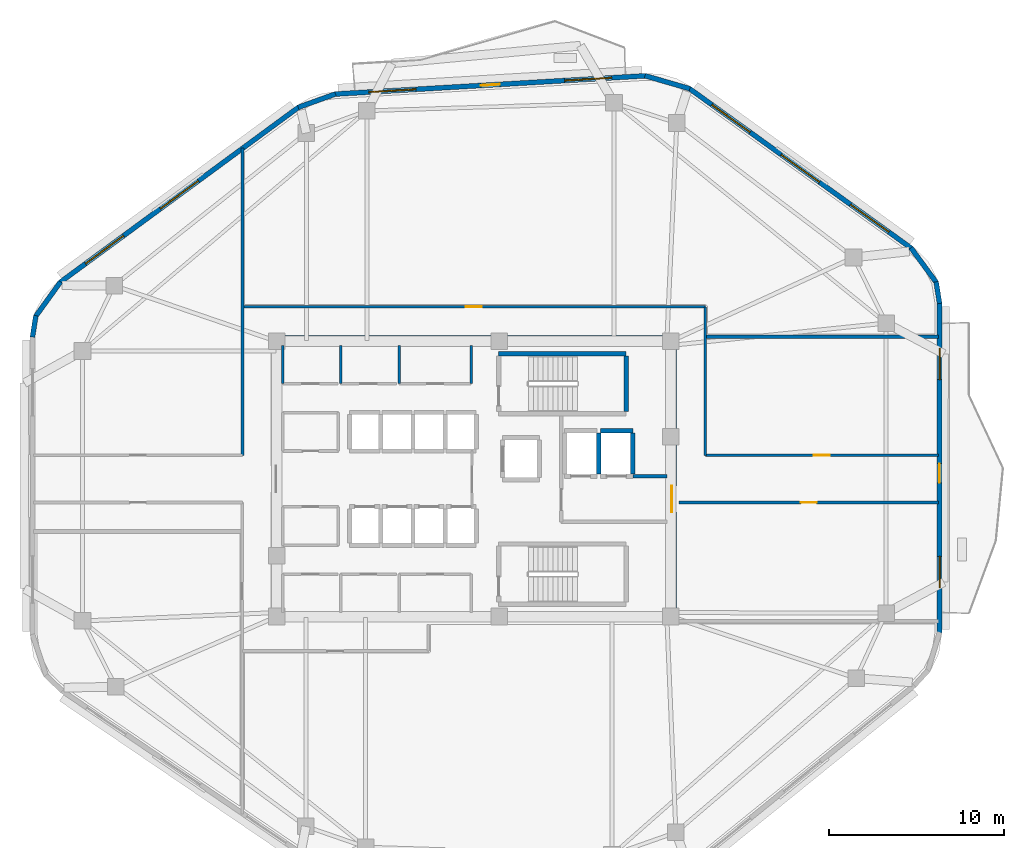
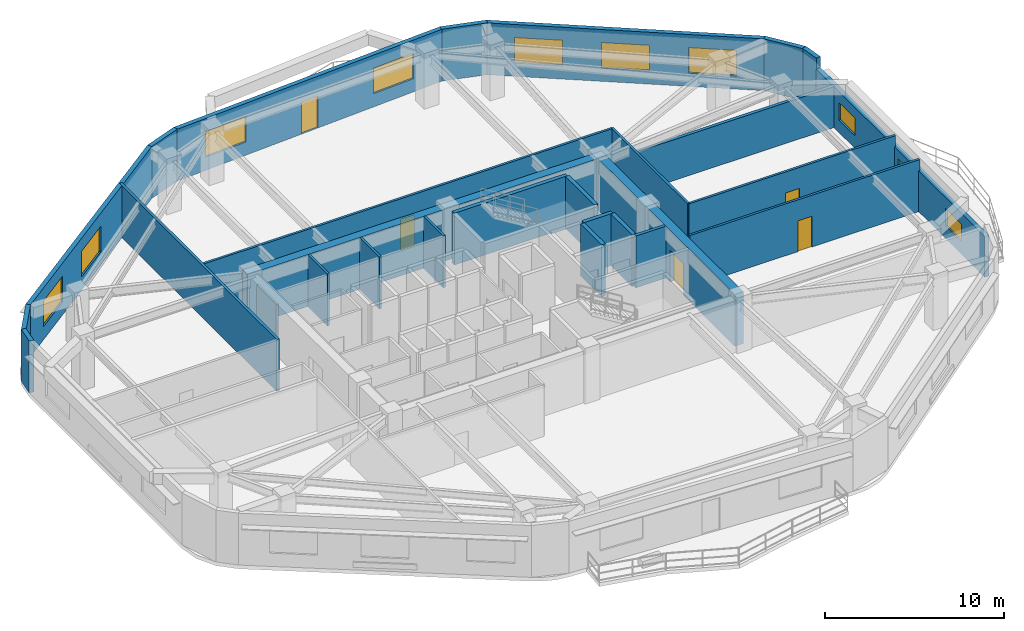
# One storey, part 5 of 8: 28 walls, 9 windows, 6 doors, 15 openings.
"""IFC4 building model written with IfcOpenShell, lengths in metres."""

from ifc_helpers import new_model, si_unit, direction, frame, frame_2d, origin, place, context, subcontext, project, spatial, rectangle, extrude, material, layer, layer_set, type_object, element, fill, save


model = new_model("IFC4")

# Units and contexts
model_context = context("Model", 3, precision=1e-05, world=origin(), true_north=direction((0.0, 1.0)))
body_context = subcontext(model_context, "Body", "Model", "MODEL_VIEW")
ifc_project = project(units=[si_unit("LENGTHUNIT", "METRE"), si_unit("AREAUNIT", "SQUARE_METRE"), si_unit("VOLUMEUNIT", "CUBIC_METRE"), si_unit("PLANEANGLEUNIT", "RADIAN"), si_unit("MASSUNIT", "GRAM", prefix="KILO")], contexts=[model_context])

# Site, building, storey
site_placement = place(None, origin())
site = spatial("IfcSite", under=ifc_project, at=site_placement, CompositionType="ELEMENT")
building_placement = place(site_placement, origin())
building = spatial("IfcBuilding", under=site, at=building_placement, Name="Zulverin Broadcast Headquarters", CompositionType="ELEMENT")
storey_placement = place(building_placement, frame((0.0, 0.0, 204.800048828125)))
storey = spatial("IfcBuildingStorey", under=building, at=storey_placement, Name="L52", CompositionType="ELEMENT", Elevation=204.800048828125)

# Walls
ifc_material_1 = material(Name="Acoustic drywall steel stud", Category="steel")
ifc_layer_1 = layer(ifc_material_1, 0.199951171875, Name="Acoustic drywall steel stud", Category="steel")
ifc_layer_set_1 = layer_set([ifc_layer_1], Name="Acoustic drywall steel stud")
wall_type_1 = type_object("IfcWallType", Name="WL-ACOU-200", PredefinedType="PARTITIONING", material=ifc_layer_set_1)
wall_1_placement = place(storey_placement, frame((50.25, 33.35009765625, 0.0), z_axis=(0.0, 0.0, 1.0), x_axis=(1.0, 0.0, 0.0)))
element("IfcWall", 1, at=wall_1_placement, inside=storey, type_object=wall_type_1, Name="L52 Room Partition Wall RP-12", PredefinedType="PARTITIONING", context=body_context, shape_type="SweptSolid", body=[
    extrude(rectangle(XDim=13.344970703125, YDim=0.199951171875, at=frame_2d((6.67236328125, 0.0))), origin(), (0.0, 0.0, 1.0), 2.7900390625),
])
ifc_material_2 = material(Name="Concrete C60/75", Category="concrete")
ifc_layer_2 = layer(ifc_material_2, 0.550048828125, Name="Concrete C60/75", Category="concrete")
ifc_layer_set_2 = layer_set([ifc_layer_2], Name="Concrete C60/75")
wall_type_2 = type_object("IfcWallType", Name="WL-CORE-550", PredefinedType="SHEAR", material=ifc_layer_set_2)
wall_2_placement = place(storey_placement, frame((25.39990234375, 33.125, 0.0), z_axis=(0.0, 0.0, 1.0), x_axis=(1.0, 0.0, 0.0)))
element("IfcWall", 2, at=wall_2_placement, inside=storey, type_object=wall_type_2, Name="L52 Core North Shear Wall", PredefinedType="SHEAR", context=body_context, shape_type="SweptSolid", body=[
    extrude(rectangle(XDim=23.2001953125, YDim=0.550048828125, at=frame_2d((11.60009765625, 0.0))), origin(), (0.0, 0.0, 1.0), 3.5400390625),
])

# Wall, opening, door
wall_3_placement = place(storey_placement, frame((48.324951171875, 17.550048828125, 0.0), z_axis=(0.0, 0.0, 1.0), x_axis=(0.0, 1.0, 0.0)))
wall_3 = element("IfcWall", 3, at=wall_3_placement, inside=storey, type_object=wall_type_2, Name="L52 Core East Shear Wall", PredefinedType="SHEAR", context=body_context, shape_type="SweptSolid", body=[
    extrude(rectangle(XDim=15.300048828125, YDim=0.550048828125, at=frame_2d((7.64990234375, 0.0))), origin(), (0.0, 0.0, 1.0), 3.5400390625),
])
opening_1_placement = place(wall_3_placement, frame((5.75, 0.0, 0.0)))
opening_1 = element("IfcOpeningElement", 4, at=opening_1_placement, cuts=wall_3, Name="Opening D-L52-CE1", PredefinedType="OPENING", context=body_context, shape_type="SweptSolid", body=[
    extrude(rectangle(XDim=1.5, YDim=2.14990234375, at=frame_2d((0.75, 1.074951171875))), frame((0.0, 0.284912109375, 0.0), z_axis=(0.0, -1.0, 0.0), x_axis=(1.0, 0.0, 0.0)), (0.0, 0.0, 1.0), 0.570068359375),
])
ifc_material_3 = material(Name="Fire-rated glazed steel frame", Category="steel")
door_type_1 = type_object("IfcDoorType", Name="DR-COR-1500", OperationType="DOUBLE_DOOR_SINGLE_SWING", PredefinedType="DOOR", material=ifc_material_3)
door_1_placement = place(opening_1_placement, origin())
door_1 = element("IfcDoor", 5, at=door_1_placement, inside=storey, type_object=door_type_1, Name="L52 Firefighting Lobby East Corridor Door", OperationType="DOUBLE_DOOR_SINGLE_SWING", OverallHeight=2.14990234375, OverallWidth=1.5, PredefinedType="DOOR", context=body_context, shape_type="SweptSolid", body=[
    extrude(rectangle(XDim=1.5, YDim=2.14990234375, at=frame_2d((0.75, 1.074951171875))), frame((0.0, 0.02490234375, 0.0), z_axis=(0.0, -1.0, 0.0), x_axis=(1.0, 0.0, 0.0)), (0.0, 0.0, 1.0), 0.050048828125),
])
fill(opening_1, door_1)

# Wall, openings, door, windows
ifc_material_4 = material(Name="Insulated pale-metal clad concrete spandrel C40/50", Category="concrete")
ifc_layer_3 = layer(ifc_material_4, 0.280029296875, Name="Insulated pale-metal clad concrete spandrel C40/50", Category="concrete")
ifc_layer_set_3 = layer_set([ifc_layer_3], Name="Insulated pale-metal clad concrete spandrel C40/50")
wall_type_3 = type_object("IfcWallType", Name="WL-EXT-280", PredefinedType="STANDARD", material=ifc_layer_set_3)
wall_4_placement = place(storey_placement, frame((63.659912109375, 16.390380859375, 0.0), z_axis=(0.0, 0.0, 1.0), x_axis=(0.0, 1.0, 0.0)))
wall_4 = element("IfcWall", 6, at=wall_4_placement, inside=storey, type_object=wall_type_3, Name="L52 Pale-Metal Clad Spandrel Wall 3", PredefinedType="STANDARD", context=body_context, shape_type="SweptSolid", body=[
    extrude(rectangle(XDim=18.875732421875, YDim=0.280029296875, at=frame_2d((9.43798828125, 0.0))), origin(), (0.0, 0.0, 1.0), 2.7900390625),
])
opening_2_placement = place(wall_4_placement, frame((8.587890625, 0.0, 0.0)))
opening_2 = element("IfcOpeningElement", 7, at=opening_2_placement, cuts=wall_4, Name="Opening D-L52-TR3", PredefinedType="OPENING", context=body_context, shape_type="SweptSolid", body=[
    extrude(rectangle(XDim=1.10009765625, YDim=2.199951171875, at=frame_2d((0.550048828125, 1.10009765625))), frame((0.0, 0.14990234375, 0.0), z_axis=(0.0, -1.0, 0.0), x_axis=(1.0, 0.0, 0.0)), (0.0, 0.0, 1.0), 0.300048828125),
])
opening_3_placement = place(wall_4_placement, frame((2.579345703125, 0.0, 0.85009765625)))
opening_3 = element("IfcOpeningElement", 8, at=opening_3_placement, cuts=wall_4, Name="Opening W-L52-E31", PredefinedType="OPENING", context=body_context, shape_type="SweptSolid", body=[
    extrude(rectangle(XDim=1.800048828125, YDim=1.199951171875, at=frame_2d((0.89990234375, 0.60009765625))), frame((0.0, 0.14990234375, 0.0), z_axis=(0.0, -1.0, 0.0), x_axis=(1.0, 0.0, 0.0)), (0.0, 0.0, 1.0), 0.300048828125),
])
opening_4_placement = place(wall_4_placement, frame((14.49658203125, 0.0, 0.85009765625)))
opening_4 = element("IfcOpeningElement", 9, at=opening_4_placement, cuts=wall_4, Name="Opening W-L52-E32", PredefinedType="OPENING", context=body_context, shape_type="SweptSolid", body=[
    extrude(rectangle(XDim=1.800048828125, YDim=1.199951171875, at=frame_2d((0.89990234375, 0.60009765625))), frame((0.0, 0.14990234375, 0.0), z_axis=(0.0, -1.0, 0.0), x_axis=(1.0, 0.0, 0.0)), (0.0, 0.0, 1.0), 0.300048828125),
])
ifc_material_5 = material(Name="Thermally broken aluminium glazed", Category="aluminium")
door_type_2 = type_object("IfcDoorType", Name="DR-TERR-1100", OperationType="SINGLE_SWING_RIGHT", PredefinedType="DOOR", material=ifc_material_5)
door_2_placement = place(opening_2_placement, origin())
door_2 = element("IfcDoor", 10, at=door_2_placement, inside=storey, type_object=door_type_2, Name="L52 Planted Terrace Glazed Access Door 3", OperationType="SINGLE_SWING_RIGHT", OverallHeight=2.199951171875, OverallWidth=1.10009765625, PredefinedType="DOOR", context=body_context, shape_type="SweptSolid", body=[
    extrude(rectangle(XDim=1.10009765625, YDim=2.199951171875, at=frame_2d((0.550048828125, 1.10009765625))), frame((0.0, 0.02490234375, 0.0), z_axis=(0.0, -1.0, 0.0), x_axis=(1.0, 0.0, 0.0)), (0.0, 0.0, 1.0), 0.050048828125),
])
fill(opening_2, door_2)
ifc_material_6 = material(Name="Pale anodized aluminium frame with solar-control low-E double glazing", Category="aluminium")
window_type_1 = type_object("IfcWindowType", Name="WIN-LOW-1800", PartitioningType="SINGLE_PANEL", PredefinedType="WINDOW", material=ifc_material_6)
window_1_placement = place(opening_3_placement, origin())
window_1 = element("IfcWindow", 11, at=window_1_placement, inside=storey, type_object=window_type_1, Name="L52 Ribbon Glazing Window 3 1", OverallHeight=1.199951171875, OverallWidth=1.800048828125, PartitioningType="SINGLE_PANEL", PredefinedType="WINDOW", context=body_context, shape_type="SweptSolid", body=[
    extrude(rectangle(XDim=1.800048828125, YDim=1.199951171875, at=frame_2d((0.89990234375, 0.60009765625))), frame((0.0, 0.030029296875, 0.0), z_axis=(0.0, -1.0, 0.0), x_axis=(1.0, 0.0, 0.0)), (0.0, 0.0, 1.0), 0.06005859375),
])
fill(opening_3, window_1)
window_2_placement = place(opening_4_placement, origin())
window_2 = element("IfcWindow", 12, at=window_2_placement, inside=storey, type_object=window_type_1, Name="L52 Ribbon Glazing Window 3 2", OverallHeight=1.199951171875, OverallWidth=1.800048828125, PartitioningType="SINGLE_PANEL", PredefinedType="WINDOW", context=body_context, shape_type="SweptSolid", body=[
    extrude(rectangle(XDim=1.800048828125, YDim=1.199951171875, at=frame_2d((0.89990234375, 0.60009765625))), frame((0.0, 0.030029296875, 0.0), z_axis=(0.0, -1.0, 0.0), x_axis=(1.0, 0.0, 0.0)), (0.0, 0.0, 1.0), 0.06005859375),
])
fill(opening_4, window_2)

# Wall, openings, windows
wall_5_placement = place(storey_placement, frame((62.054443359375, 38.3994140625, 0.0), z_axis=(0.0, 0.0, 1.0), x_axis=(-0.81172124793, 0.584045045915, 0.0)))
wall_5 = element("IfcWall", 13, at=wall_5_placement, inside=storey, type_object=wall_type_3, Name="L52 Pale-Metal Clad Spandrel Wall 4", PredefinedType="STANDARD", context=body_context, shape_type="SweptSolid", body=[
    extrude(rectangle(XDim=15.679443359375, YDim=0.280029296875, at=frame_2d((7.83984375, 0.0))), origin(), (0.0, 0.0, 1.0), 3.5400390625),
])
opening_5_placement = place(wall_5_placement, frame((1.596435546875, 0.0, 0.89990234375)))
opening_5 = element("IfcOpeningElement", 14, at=opening_5_placement, cuts=wall_5, Name="Opening W-L52-E41", PredefinedType="OPENING", context=body_context, shape_type="SweptSolid", body=[
    extrude(rectangle(XDim=2.699951171875, YDim=1.75, at=frame_2d((1.35009765625, 0.875))), frame((0.0, 0.14990234375, 0.0), z_axis=(0.0, -1.0, 0.0), x_axis=(1.0, 0.0, 0.0)), (0.0, 0.0, 1.0), 0.300048828125),
])
opening_6_placement = place(wall_5_placement, frame((6.489501953125, 0.0, 0.89990234375)))
opening_6 = element("IfcOpeningElement", 15, at=opening_6_placement, cuts=wall_5, Name="Opening W-L52-E42", PredefinedType="OPENING", context=body_context, shape_type="SweptSolid", body=[
    extrude(rectangle(XDim=2.699951171875, YDim=1.75, at=frame_2d((1.35009765625, 0.875))), frame((0.0, 0.14990234375, 0.0), z_axis=(0.0, -1.0, 0.0), x_axis=(1.0, 0.0, 0.0)), (0.0, 0.0, 1.0), 0.300048828125),
])
opening_7_placement = place(wall_5_placement, frame((11.3828125, 0.0, 0.89990234375)))
opening_7 = element("IfcOpeningElement", 16, at=opening_7_placement, cuts=wall_5, Name="Opening W-L52-E43", PredefinedType="OPENING", context=body_context, shape_type="SweptSolid", body=[
    extrude(rectangle(XDim=2.699951171875, YDim=1.75, at=frame_2d((1.35009765625, 0.875))), frame((0.0, 0.14990234375, 0.0), z_axis=(0.0, -1.0, 0.0), x_axis=(1.0, 0.0, 0.0)), (0.0, 0.0, 1.0), 0.300048828125),
])
window_type_2 = type_object("IfcWindowType", Name="WIN-TWR-2700", PartitioningType="SINGLE_PANEL", PredefinedType="WINDOW", material=ifc_material_6)
window_3_placement = place(opening_5_placement, origin())
window_3 = element("IfcWindow", 17, at=window_3_placement, inside=storey, type_object=window_type_2, Name="L52 Ribbon Glazing Window 4 1", OverallHeight=1.75, OverallWidth=2.699951171875, PartitioningType="SINGLE_PANEL", PredefinedType="WINDOW", context=body_context, shape_type="SweptSolid", body=[
    extrude(rectangle(XDim=2.699951171875, YDim=1.75, at=frame_2d((1.35009765625, 0.875))), frame((0.0, 0.030029296875, 0.0), z_axis=(0.0, -1.0, 0.0), x_axis=(1.0, 0.0, 0.0)), (0.0, 0.0, 1.0), 0.06005859375),
])
fill(opening_5, window_3)
window_4_placement = place(opening_6_placement, origin())
window_4 = element("IfcWindow", 18, at=window_4_placement, inside=storey, type_object=window_type_2, Name="L52 Ribbon Glazing Window 4 2", OverallHeight=1.75, OverallWidth=2.699951171875, PartitioningType="SINGLE_PANEL", PredefinedType="WINDOW", context=body_context, shape_type="SweptSolid", body=[
    extrude(rectangle(XDim=2.699951171875, YDim=1.75, at=frame_2d((1.35009765625, 0.875))), frame((0.0, 0.030029296875, 0.0), z_axis=(0.0, -1.0, 0.0), x_axis=(1.0, 0.0, 0.0)), (0.0, 0.0, 1.0), 0.06005859375),
])
fill(opening_6, window_4)
window_5_placement = place(opening_7_placement, origin())
window_5 = element("IfcWindow", 19, at=window_5_placement, inside=storey, type_object=window_type_2, Name="L52 Ribbon Glazing Window 4 3", OverallHeight=1.75, OverallWidth=2.699951171875, PartitioningType="SINGLE_PANEL", PredefinedType="WINDOW", context=body_context, shape_type="SweptSolid", body=[
    extrude(rectangle(XDim=2.699951171875, YDim=1.75, at=frame_2d((1.35009765625, 0.875))), frame((0.0, 0.030029296875, 0.0), z_axis=(0.0, -1.0, 0.0), x_axis=(1.0, 0.0, 0.0)), (0.0, 0.0, 1.0), 0.06005859375),
])
fill(opening_7, window_5)

# Wall, openings, door, windows
wall_6_placement = place(storey_placement, frame((46.84619140625, 48.27685546875, 0.0), z_axis=(0.0, 0.0, 1.0), x_axis=(-0.998273806631, -0.05873165241, 0.0)))
wall_6 = element("IfcWall", 20, at=wall_6_placement, inside=storey, type_object=wall_type_3, Name="L52 Pale-Metal Clad Spandrel Wall 5", PredefinedType="STANDARD", context=body_context, shape_type="SweptSolid", body=[
    extrude(rectangle(XDim=17.8330078125, YDim=0.280029296875, at=frame_2d((8.91650390625, 0.0))), origin(), (0.0, 0.0, 1.0), 3.5400390625),
])
opening_8_placement = place(wall_6_placement, frame((8.366455078125, 0.0, 0.0)))
opening_8 = element("IfcOpeningElement", 21, at=opening_8_placement, cuts=wall_6, Name="Opening D-L52-TR5", PredefinedType="OPENING", context=body_context, shape_type="SweptSolid", body=[
    extrude(rectangle(XDim=1.10009765625, YDim=2.199951171875, at=frame_2d((0.550048828125, 1.10009765625))), frame((0.0, 0.14990234375, 0.0), z_axis=(0.0, -1.0, 0.0), x_axis=(1.0, 0.0, 0.0)), (0.0, 0.0, 1.0), 0.300048828125),
])
opening_9_placement = place(wall_6_placement, frame((1.95556640625, 0.0, 0.89990234375)))
opening_9 = element("IfcOpeningElement", 22, at=opening_9_placement, cuts=wall_6, Name="Opening W-L52-E51", PredefinedType="OPENING", context=body_context, shape_type="SweptSolid", body=[
    extrude(rectangle(XDim=2.699951171875, YDim=1.75, at=frame_2d((1.35009765625, 0.875))), frame((0.0, 0.14990234375, 0.0), z_axis=(0.0, -1.0, 0.0), x_axis=(1.0, 0.0, 0.0)), (0.0, 0.0, 1.0), 0.300048828125),
])
opening_10_placement = place(wall_6_placement, frame((13.177490234375, 0.0, 0.89990234375)))
opening_10 = element("IfcOpeningElement", 23, at=opening_10_placement, cuts=wall_6, Name="Opening W-L52-E52", PredefinedType="OPENING", context=body_context, shape_type="SweptSolid", body=[
    extrude(rectangle(XDim=2.699951171875, YDim=1.75, at=frame_2d((1.35009765625, 0.875))), frame((0.0, 0.14990234375, 0.0), z_axis=(0.0, -1.0, 0.0), x_axis=(1.0, 0.0, 0.0)), (0.0, 0.0, 1.0), 0.300048828125),
])
door_3_placement = place(opening_8_placement, origin())
door_3 = element("IfcDoor", 24, at=door_3_placement, inside=storey, type_object=door_type_2, Name="L52 Planted Terrace Glazed Access Door 5", OperationType="SINGLE_SWING_RIGHT", OverallHeight=2.199951171875, OverallWidth=1.10009765625, PredefinedType="DOOR", context=body_context, shape_type="SweptSolid", body=[
    extrude(rectangle(XDim=1.10009765625, YDim=2.199951171875, at=frame_2d((0.550048828125, 1.10009765625))), frame((0.0, 0.02490234375, 0.0), z_axis=(0.0, -1.0, 0.0), x_axis=(1.0, 0.0, 0.0)), (0.0, 0.0, 1.0), 0.050048828125),
])
fill(opening_8, door_3)
window_6_placement = place(opening_9_placement, origin())
window_6 = element("IfcWindow", 25, at=window_6_placement, inside=storey, type_object=window_type_2, Name="L52 Ribbon Glazing Window 5 1", OverallHeight=1.75, OverallWidth=2.699951171875, PartitioningType="SINGLE_PANEL", PredefinedType="WINDOW", context=body_context, shape_type="SweptSolid", body=[
    extrude(rectangle(XDim=2.699951171875, YDim=1.75, at=frame_2d((1.35009765625, 0.875))), frame((0.0, 0.030029296875, 0.0), z_axis=(0.0, -1.0, 0.0), x_axis=(1.0, 0.0, 0.0)), (0.0, 0.0, 1.0), 0.06005859375),
])
fill(opening_9, window_6)
window_7_placement = place(opening_10_placement, origin())
window_7 = element("IfcWindow", 26, at=window_7_placement, inside=storey, type_object=window_type_2, Name="L52 Ribbon Glazing Window 5 2", OverallHeight=1.75, OverallWidth=2.699951171875, PartitioningType="SINGLE_PANEL", PredefinedType="WINDOW", context=body_context, shape_type="SweptSolid", body=[
    extrude(rectangle(XDim=2.699951171875, YDim=1.75, at=frame_2d((1.35009765625, 0.875))), frame((0.0, 0.030029296875, 0.0), z_axis=(0.0, -1.0, 0.0), x_axis=(1.0, 0.0, 0.0)), (0.0, 0.0, 1.0), 0.06005859375),
])
fill(opening_10, window_7)

# Wall, openings, windows
wall_7_placement = place(storey_placement, frame((26.986083984375, 46.48779296875, 0.0), z_axis=(0.0, 0.0, 1.0), x_axis=(-0.806097783211, -0.59178236194, 0.0)))
wall_7 = element("IfcWall", 27, at=wall_7_placement, inside=storey, type_object=wall_type_3, Name="L52 Pale-Metal Clad Spandrel Wall 6", PredefinedType="STANDARD", context=body_context, shape_type="SweptSolid", body=[
    extrude(rectangle(XDim=16.958740234375, YDim=0.280029296875, at=frame_2d((8.4794921875, 0.0))), origin(), (0.0, 0.0, 1.0), 3.5400390625),
])
opening_11_placement = place(wall_7_placement, frame((7.12939453125, 0.0, 0.89990234375)))
opening_11 = element("IfcOpeningElement", 28, at=opening_11_placement, cuts=wall_7, Name="Opening W-L52-E61", PredefinedType="OPENING", context=body_context, shape_type="SweptSolid", body=[
    extrude(rectangle(XDim=2.699951171875, YDim=1.75, at=frame_2d((1.35009765625, 0.875))), frame((0.0, 0.14990234375, 0.0), z_axis=(0.0, -1.0, 0.0), x_axis=(1.0, 0.0, 0.0)), (0.0, 0.0, 1.0), 0.300048828125),
])
opening_12_placement = place(wall_7_placement, frame((12.44921875, 0.0, 0.89990234375)))
opening_12 = element("IfcOpeningElement", 29, at=opening_12_placement, cuts=wall_7, Name="Opening W-L52-E62", PredefinedType="OPENING", context=body_context, shape_type="SweptSolid", body=[
    extrude(rectangle(XDim=2.699951171875, YDim=1.75, at=frame_2d((1.35009765625, 0.875))), frame((0.0, 0.14990234375, 0.0), z_axis=(0.0, -1.0, 0.0), x_axis=(1.0, 0.0, 0.0)), (0.0, 0.0, 1.0), 0.300048828125),
])
window_8_placement = place(opening_11_placement, origin())
window_8 = element("IfcWindow", 30, at=window_8_placement, inside=storey, type_object=window_type_2, Name="L52 Ribbon Glazing Window 6 1", OverallHeight=1.75, OverallWidth=2.699951171875, PartitioningType="SINGLE_PANEL", PredefinedType="WINDOW", context=body_context, shape_type="SweptSolid", body=[
    extrude(rectangle(XDim=2.699951171875, YDim=1.75, at=frame_2d((1.35009765625, 0.875))), frame((0.0, 0.030029296875, 0.0), z_axis=(0.0, -1.0, 0.0), x_axis=(1.0, 0.0, 0.0)), (0.0, 0.0, 1.0), 0.06005859375),
])
fill(opening_11, window_8)
window_9_placement = place(opening_12_placement, origin())
window_9 = element("IfcWindow", 31, at=window_9_placement, inside=storey, type_object=window_type_2, Name="L52 Ribbon Glazing Window 6 2", OverallHeight=1.75, OverallWidth=2.699951171875, PartitioningType="SINGLE_PANEL", PredefinedType="WINDOW", context=body_context, shape_type="SweptSolid", body=[
    extrude(rectangle(XDim=2.699951171875, YDim=1.75, at=frame_2d((1.35009765625, 0.875))), frame((0.0, 0.030029296875, 0.0), z_axis=(0.0, -1.0, 0.0), x_axis=(1.0, 0.0, 0.0)), (0.0, 0.0, 1.0), 0.06005859375),
])
fill(opening_12, window_9)

# Walls
wall_8_placement = place(storey_placement, frame((63.66162109375, 35.244140625, 0.0), z_axis=(0.0, 0.0, 1.0), x_axis=(-0.157059104921, 0.987589204863, 0.0)))
element("IfcWall", 32, at=wall_8_placement, inside=storey, type_object=wall_type_3, Name="L52 Wind-Shaped Corner Spandrel Wall 3-1", PredefinedType="STANDARD", context=body_context, shape_type="SweptSolid", body=[
    extrude(rectangle(XDim=1.257568359375, YDim=0.280029296875, at=frame_2d((0.62890625, 0.0))), origin(), (0.0, 0.0, 1.0), 3.5400390625),
])
wall_9_placement = place(storey_placement, frame((63.4892578125, 36.425537109375, 0.0), z_axis=(0.0, 0.0, 1.0), x_axis=(-0.590267940876, 0.80720738226, 0.0)))
element("IfcWall", 33, at=wall_9_placement, inside=storey, type_object=wall_type_3, Name="L52 Wind-Shaped Corner Spandrel Wall 3-2", PredefinedType="STANDARD", context=body_context, shape_type="SweptSolid", body=[
    extrude(rectangle(XDim=2.483642578125, YDim=0.280029296875, at=frame_2d((1.24169921875, 0.0))), origin(), (0.0, 0.0, 1.0), 3.5400390625),
])
wall_10_placement = place(storey_placement, frame((49.3701171875, 47.535888671875, 0.0), z_axis=(0.0, 0.0, 1.0), x_axis=(-0.960380089791, 0.278693529048, 0.0)))
element("IfcWall", 34, at=wall_10_placement, inside=storey, type_object=wall_type_3, Name="L52 Wind-Shaped Corner Spandrel Wall 4-1", PredefinedType="STANDARD", context=body_context, shape_type="SweptSolid", body=[
    extrude(rectangle(XDim=2.677001953125, YDim=0.280029296875, at=frame_2d((1.33837890625, 0.0))), origin(), (0.0, 0.0, 1.0), 3.5400390625),
])
wall_11_placement = place(storey_placement, frame((29.083251953125, 47.23779296875, 0.0), z_axis=(0.0, 0.0, 1.0), x_axis=(-0.940723909279, -0.33917329864, 0.0)))
element("IfcWall", 35, at=wall_11_placement, inside=storey, type_object=wall_type_3, Name="L52 Wind-Shaped Corner Spandrel Wall 5-1", PredefinedType="STANDARD", context=body_context, shape_type="SweptSolid", body=[
    extrude(rectangle(XDim=2.2666015625, YDim=0.280029296875, at=frame_2d((1.13330078125, 0.0))), origin(), (0.0, 0.0, 1.0), 3.5400390625),
])
wall_12_placement = place(storey_placement, frame((13.346435546875, 36.48291015625, 0.0), z_axis=(0.0, 0.0, 1.0), x_axis=(-0.585128091556, -0.810940883463, 0.0)))
element("IfcWall", 36, at=wall_12_placement, inside=storey, type_object=wall_type_3, Name="L52 Wind-Shaped Corner Spandrel Wall 6-1", PredefinedType="STANDARD", context=body_context, shape_type="SweptSolid", body=[
    extrude(rectangle(XDim=2.459716796875, YDim=0.280029296875, at=frame_2d((1.22998046875, 0.0))), origin(), (0.0, 0.0, 1.0), 3.5400390625),
])
wall_13_placement = place(storey_placement, frame((11.931884765625, 34.54833984375, 0.0), z_axis=(0.0, 0.0, 1.0), x_axis=(-0.155519443181, -0.987832831401, 0.0)))
element("IfcWall", 37, at=wall_13_placement, inside=storey, type_object=wall_type_3, Name="L52 Wind-Shaped Corner Spandrel Wall 6-2", PredefinedType="STANDARD", context=body_context, shape_type="SweptSolid", body=[
    extrude(rectangle(XDim=1.244873046875, YDim=0.280029296875, at=frame_2d((0.62255859375, 0.0))), origin(), (0.0, 0.0, 1.0), 3.5400390625),
])
ifc_material_7 = material(Name="Concrete C40/50", Category="concrete")
ifc_layer_4 = layer(ifc_material_7, 0.199951171875, Name="Concrete C40/50", Category="concrete")
ifc_layer_set_4 = layer_set([ifc_layer_4], Name="Concrete C40/50")
wall_type_4 = type_object("IfcWallType", Name="WL-FFL-200", PredefinedType="SOLIDWALL", material=ifc_layer_set_4)
wall_14_placement = place(storey_placement, frame((46.10009765625, 25.35009765625, 0.0), z_axis=(0.0, 0.0, 1.0), x_axis=(1.0, 0.0, 0.0)))
element("IfcWall", 38, at=wall_14_placement, inside=storey, type_object=wall_type_4, Name="L52 Firefighting Lift Lobby North Wall", PredefinedType="SOLIDWALL", context=body_context, shape_type="SweptSolid", body=[
    extrude(rectangle(XDim=1.949951171875, YDim=0.199951171875, at=frame_2d((0.97509765625, 0.0))), origin(), (0.0, 0.0, 1.0), 3.5400390625),
])
ifc_material_8 = material(Name="Fire-rated gypsum stud partition", Category="gypsum")
ifc_layer_5 = layer(ifc_material_8, 0.14990234375, Name="Fire-rated gypsum stud partition", Category="gypsum")
ifc_layer_set_5 = layer_set([ifc_layer_5], Name="Fire-rated gypsum stud partition")
wall_type_5 = type_object("IfcWallType", Name="WL-PART-150", PredefinedType="PARTITIONING", material=ifc_layer_set_5)
wall_15_placement = place(storey_placement, frame((26.070068359375, 30.64990234375, 0.0), z_axis=(0.0, 0.0, 1.0), x_axis=(0.0, 1.0, 0.0)))
element("IfcWall", 39, at=wall_15_placement, inside=storey, type_object=wall_type_5, Name="L52 Core Male WC West Wall", PredefinedType="PARTITIONING", context=body_context, shape_type="SweptSolid", body=[
    extrude(rectangle(XDim=2.2001953125, YDim=0.14990234375, at=frame_2d((1.10009765625, 0.0))), origin(), (0.0, 0.0, 1.0), 2.639892578125),
])
for number, where, z_axis, x_axis, name in (
    (40, (29.3798828125, 30.64990234375, 0.0), (0.0, 0.0, 1.0), (0.0, 1.0, 0.0), "L52 Core Accessible WC West Wall"),
    (41, (32.72998046875, 30.64990234375, 0.0), (0.0, 0.0, 1.0), (0.0, 1.0, 0.0), "L52 Core Electrical Distribution Riser West Wall"),
    (42, (36.85009765625, 30.64990234375, 0.0), (0.0, 0.0, 1.0), (0.0, 1.0, 0.0), "L52 Core Electrical Distribution Riser East Wall"),
):
    element("IfcWall", number, at=place(storey_placement, frame(where, z_axis=z_axis, x_axis=x_axis)), inside=storey, type_object=wall_type_5, Name=name, PredefinedType="PARTITIONING", context=body_context, shape_type="SweptSolid", body=[
        extrude(rectangle(XDim=2.2001953125, YDim=0.14990234375, at=frame_2d((1.10009765625, 0.0))), origin(), (0.0, 0.0, 1.0), 3.5400390625),
    ])
wall_16_placement = place(storey_placement, frame((50.25, 26.550048828125, 0.0), z_axis=(0.0, 0.0, 1.0), x_axis=(0.0, 1.0, 0.0)))
element("IfcWall", 43, at=wall_16_placement, inside=storey, type_object=wall_type_5, Name="L52 Gallery Partition Wall CG-01", PredefinedType="PARTITIONING", context=body_context, shape_type="SweptSolid", body=[
    extrude(rectangle(XDim=8.5, YDim=0.14990234375, at=frame_2d((4.25, 0.0))), origin(), (0.0, 0.0, 1.0), 3.5400390625),
])

# Wall, opening, door
wall_17_placement = place(storey_placement, frame((48.739990234375, 23.85009765625, 0.0), z_axis=(0.0, 0.0, 1.0), x_axis=(1.0, 0.0, 0.0)))
wall_17 = element("IfcWall", 44, at=wall_17_placement, inside=storey, type_object=wall_type_5, Name="L52 Gallery Partition Wall CG-09", PredefinedType="PARTITIONING", context=body_context, shape_type="SweptSolid", body=[
    extrude(rectangle(XDim=14.85498046875, YDim=0.14990234375, at=frame_2d((7.427490234375, 0.0))), origin(), (0.0, 0.0, 1.0), 3.5400390625),
])
opening_13_placement = place(wall_17_placement, frame((6.9775390625, 0.0, 0.0)))
opening_13 = element("IfcOpeningElement", 45, at=opening_13_placement, cuts=wall_17, Name="Opening D-L52-06", PredefinedType="OPENING", context=body_context, shape_type="SweptSolid", body=[
    extrude(rectangle(XDim=0.89990234375, YDim=2.10009765625, at=frame_2d((0.449951171875, 1.050048828125))), frame((0.0, 0.0849609375, 0.0), z_axis=(0.0, -1.0, 0.0), x_axis=(1.0, 0.0, 0.0)), (0.0, 0.0, 1.0), 0.169921875),
])
ifc_material_9 = material(Name="Fire-rated hardwood veneer timber leaf", Category="wood")
door_type_3 = type_object("IfcDoorType", Name="DR-ROOM-900", OperationType="SINGLE_SWING_RIGHT", PredefinedType="DOOR", material=ifc_material_9)
door_4_placement = place(opening_13_placement, origin())
door_4 = element("IfcDoor", 46, at=door_4_placement, inside=storey, type_object=door_type_3, Name="L52 Panorama Staff Lounge & Bar Door", OperationType="SINGLE_SWING_LEFT", OverallHeight=2.10009765625, OverallWidth=0.89990234375, PredefinedType="DOOR", context=body_context, shape_type="SweptSolid", body=[
    extrude(rectangle(XDim=0.89990234375, YDim=2.10009765625, at=frame_2d((0.449951171875, 1.050048828125))), frame((0.0, 0.02490234375, 0.0), z_axis=(0.0, -1.0, 0.0), x_axis=(1.0, 0.0, 0.0)), (0.0, 0.0, 1.0), 0.050048828125),
])
fill(opening_13, door_4)

wall_18_placement = place(storey_placement, frame((50.25, 26.550048828125, 0.0), z_axis=(0.0, 0.0, 1.0), x_axis=(1.0, 0.0, 0.0)))
wall_18 = element("IfcWall", 47, at=wall_18_placement, inside=storey, type_object=wall_type_5, Name="L52 Gallery Partition Wall CG-11", PredefinedType="PARTITIONING", context=body_context, shape_type="SweptSolid", body=[
    extrude(rectangle(XDim=13.344970703125, YDim=0.14990234375, at=frame_2d((6.67236328125, 0.0))), origin(), (0.0, 0.0, 1.0), 3.5400390625),
])
opening_14_placement = place(wall_18_placement, frame((6.222412109375, 0.0, 0.0)))
opening_14 = element("IfcOpeningElement", 48, at=opening_14_placement, cuts=wall_18, Name="Opening D-L52-07", PredefinedType="OPENING", context=body_context, shape_type="SweptSolid", body=[
    extrude(rectangle(XDim=0.89990234375, YDim=2.10009765625, at=frame_2d((0.449951171875, 1.050048828125))), frame((0.0, 0.0849609375, 0.0), z_axis=(0.0, -1.0, 0.0), x_axis=(1.0, 0.0, 0.0)), (0.0, 0.0, 1.0), 0.169921875),
])
door_5_placement = place(opening_14_placement, origin())
door_5 = element("IfcDoor", 49, at=door_5_placement, inside=storey, type_object=door_type_3, Name="L52 Broadcast Wellness Fitness Gym Door", OperationType="SINGLE_SWING_RIGHT", OverallHeight=2.10009765625, OverallWidth=0.89990234375, PredefinedType="DOOR", context=body_context, shape_type="SweptSolid", body=[
    extrude(rectangle(XDim=0.89990234375, YDim=2.10009765625, at=frame_2d((0.449951171875, 1.050048828125))), frame((0.0, 0.02490234375, 0.0), z_axis=(0.0, -1.0, 0.0), x_axis=(1.0, 0.0, 0.0)), (0.0, 0.0, 1.0), 0.050048828125),
])
fill(opening_14, door_5)

wall_19_placement = place(storey_placement, frame((23.75, 35.050048828125, 0.0), z_axis=(0.0, 0.0, 1.0), x_axis=(1.0, 0.0, 0.0)))
wall_19 = element("IfcWall", 50, at=wall_19_placement, inside=storey, type_object=wall_type_5, Name="L52 Gallery Partition Wall CG-13", PredefinedType="PARTITIONING", context=body_context, shape_type="SweptSolid", body=[
    extrude(rectangle(XDim=26.5, YDim=0.14990234375, at=frame_2d((13.25, 0.0))), origin(), (0.0, 0.0, 1.0), 3.5400390625),
])
opening_15_placement = place(wall_19_placement, frame((12.800048828125, 0.0, 0.0)))
opening_15 = element("IfcOpeningElement", 51, at=opening_15_placement, cuts=wall_19, Name="Opening D-L52-01", PredefinedType="OPENING", context=body_context, shape_type="SweptSolid", body=[
    extrude(rectangle(XDim=0.89990234375, YDim=2.10009765625, at=frame_2d((0.449951171875, 1.050048828125))), frame((0.0, 0.0849609375, 0.0), z_axis=(0.0, -1.0, 0.0), x_axis=(1.0, 0.0, 0.0)), (0.0, 0.0, 1.0), 0.169921875),
])
door_6_placement = place(opening_15_placement, origin())
door_6 = element("IfcDoor", 52, at=door_6_placement, inside=storey, type_object=door_type_3, Name="L52 24-Hour Broadcast Dining Canteen Door", OperationType="SINGLE_SWING_RIGHT", OverallHeight=2.10009765625, OverallWidth=0.89990234375, PredefinedType="DOOR", context=body_context, shape_type="SweptSolid", body=[
    extrude(rectangle(XDim=0.89990234375, YDim=2.10009765625, at=frame_2d((0.449951171875, 1.050048828125))), frame((0.0, 0.02490234375, 0.0), z_axis=(0.0, -1.0, 0.0), x_axis=(1.0, 0.0, 0.0)), (0.0, 0.0, 1.0), 0.050048828125),
])
fill(opening_15, door_6)

# Walls
ifc_material_10 = material(Name="Fire-rated acoustic stud wall", Category="gypsum")
ifc_layer_6 = layer(ifc_material_10, 0.175048828125, Name="Fire-rated acoustic stud wall", Category="gypsum")
ifc_layer_set_6 = layer_set([ifc_layer_6], Name="Fire-rated acoustic stud wall")
wall_type_6 = type_object("IfcWallType", Name="WL-PART-175", PredefinedType="PARTITIONING", material=ifc_layer_set_6)
wall_20_placement = place(storey_placement, frame((23.75, 26.550048828125, 0.0), z_axis=(0.0, 0.0, 1.0), x_axis=(0.0, 1.0, 0.0)))
element("IfcWall", 53, at=wall_20_placement, inside=storey, type_object=wall_type_6, Name="L52 Gallery Partition Wall CG-04", PredefinedType="PARTITIONING", context=body_context, shape_type="SweptSolid", body=[
    extrude(rectangle(XDim=17.595703125, YDim=0.175048828125, at=frame_2d((8.7978515625, 0.0))), origin(), (0.0, 0.0, 1.0), 3.5400390625),
])
ifc_material_11 = material(Name="Concrete C50/60", Category="concrete")
ifc_layer_7 = layer(ifc_material_11, 0.25, Name="Concrete C50/60", Category="concrete")
ifc_layer_set_7 = layer_set([ifc_layer_7], Name="Concrete C50/60")
wall_type_7 = type_object("IfcWallType", Name="WL-SHAFT-250", PredefinedType="SHEAR", material=ifc_layer_set_7)
wall_21_placement = place(storey_placement, frame((38.425048828125, 32.375, 0.0), z_axis=(0.0, 0.0, 1.0), x_axis=(1.0, 0.0, 0.0)))
element("IfcWall", 54, at=wall_21_placement, inside=storey, type_object=wall_type_7, Name="L52 ST-1 Enclosure Wall N", PredefinedType="SHEAR", context=body_context, shape_type="SweptSolid", body=[
    extrude(rectangle(XDim=7.300048828125, YDim=0.25, at=frame_2d((3.64990234375, 0.0))), origin(), (0.0, 0.0, 1.0), 3.5400390625),
])
wall_22_placement = place(storey_placement, frame((45.72509765625, 29.050048828125, 0.0), z_axis=(0.0, 0.0, 1.0), x_axis=(0.0, 1.0, 0.0)))
element("IfcWall", 55, at=wall_22_placement, inside=storey, type_object=wall_type_7, Name="L52 ST-1 Enclosure Wall E", PredefinedType="SHEAR", context=body_context, shape_type="SweptSolid", body=[
    extrude(rectangle(XDim=3.199951171875, YDim=0.25, at=frame_2d((1.60009765625, 0.0))), origin(), (0.0, 0.0, 1.0), 3.5400390625),
])
wall_23_placement = place(storey_placement, frame((44.14990234375, 25.469970703125, 0.0), z_axis=(0.0, 0.0, 1.0), x_axis=(0.0, 1.0, 0.0)))
element("IfcWall", 56, at=wall_23_placement, inside=storey, type_object=wall_type_7, Name="L52 Lift FFL-1 Shaft Wall E", PredefinedType="SHEAR", context=body_context, shape_type="SweptSolid", body=[
    extrude(rectangle(XDim=2.360107421875, YDim=0.25, at=frame_2d((1.18017578125, 0.0))), origin(), (0.0, 0.0, 1.0), 3.5400390625),
])
wall_24_placement = place(storey_placement, frame((44.25, 27.949951171875, 0.0), z_axis=(0.0, 0.0, 1.0), x_axis=(1.0, 0.0, 0.0)))
element("IfcWall", 57, at=wall_24_placement, inside=storey, type_object=wall_type_7, Name="L52 Lift FFL-2 Shaft Wall N", PredefinedType="SHEAR", context=body_context, shape_type="SweptSolid", body=[
    extrude(rectangle(XDim=1.85009765625, YDim=0.25, at=frame_2d((0.925048828125, 0.0))), origin(), (0.0, 0.0, 1.0), 3.5400390625),
])
wall_25_placement = place(storey_placement, frame((46.10009765625, 25.469970703125, 0.0), z_axis=(0.0, 0.0, 1.0), x_axis=(0.0, 1.0, 0.0)))
element("IfcWall", 58, at=wall_25_placement, inside=storey, type_object=wall_type_7, Name="L52 Lift FFL-2 Shaft Wall E", PredefinedType="SHEAR", context=body_context, shape_type="SweptSolid", body=[
    extrude(rectangle(XDim=2.360107421875, YDim=0.25, at=frame_2d((1.18017578125, 0.0))), origin(), (0.0, 0.0, 1.0), 3.5400390625),
])

save(model, "model.ifc")
